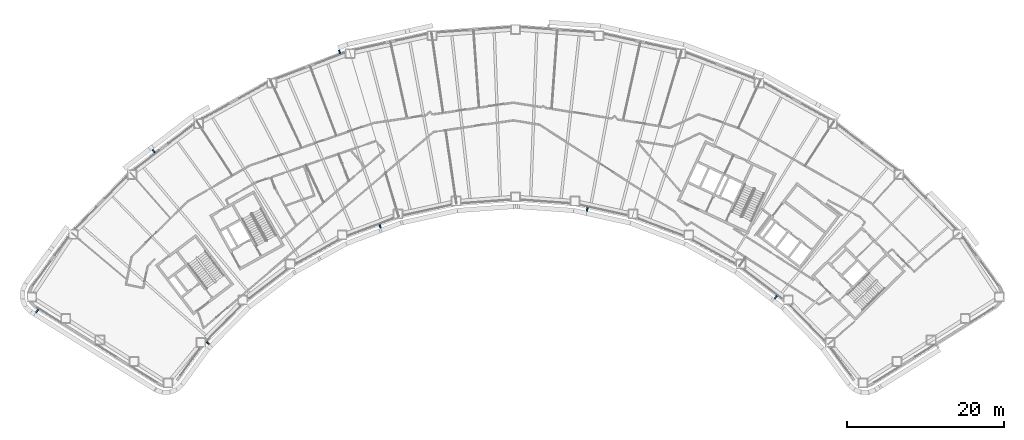
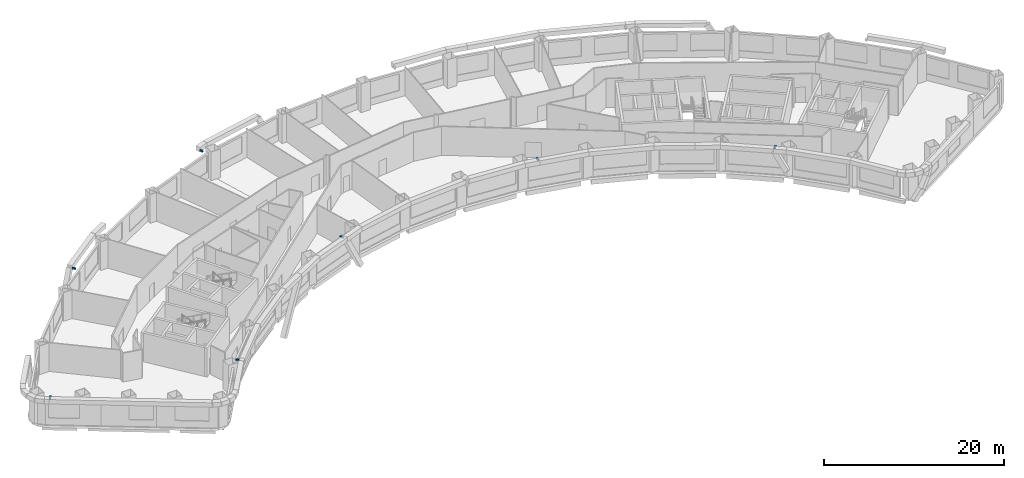
# One storey, part 11 of 15: 7 discrete accessories.
"""IFC4 building model written with IfcOpenShell, lengths in metres."""

from ifc_helpers import new_model, si_unit, direction, frame, origin, origin_2d, place, context, subcontext, project, spatial, rectangle, extrude, material, type_object, element, save


model = new_model("IFC4")

# Units and contexts
model_context = context("Model", 3, precision=1e-05, world=origin(), true_north=direction((0.0, 1.0)))
body_context = subcontext(model_context, "Body", "Model", "MODEL_VIEW")
ifc_project = project(units=[si_unit("LENGTHUNIT", "METRE"), si_unit("AREAUNIT", "SQUARE_METRE"), si_unit("VOLUMEUNIT", "CUBIC_METRE"), si_unit("PLANEANGLEUNIT", "RADIAN"), si_unit("MASSUNIT", "GRAM", prefix="KILO")], contexts=[model_context])

# Site, building, storey
site_placement = place(None, origin())
site = spatial("IfcSite", under=ifc_project, at=site_placement, CompositionType="ELEMENT")
building_placement = place(site_placement, origin())
building = spatial("IfcBuilding", under=site, at=building_placement, Name="Tuul Gate Civic Tower", CompositionType="ELEMENT")
storey_placement = place(building_placement, frame((0.0, 0.0, 78.0)))
storey = spatial("IfcBuildingStorey", under=building, at=storey_placement, Name="Level 17", CompositionType="ELEMENT", Elevation=78.0)

# Discrete accessories
ifc_material = material(Name="Stainless steel", Category="steel")
discrete_accessory_type = type_object("IfcDiscreteAccessoryType", Name="Screen bracket", PredefinedType="BRACKET", material=ifc_material)
discrete_accessory_1_placement = place(storey_placement, frame((-17.6201171875, 15.847900390625, 3.75), z_axis=(0.0, 0.0, 1.0), x_axis=(-0.30107697139, 0.953599841285, 0.0)))
element("IfcDiscreteAccessory", 1, at=discrete_accessory_1_placement, inside=storey, type_object=discrete_accessory_type, Name="Screen bracket 12", PredefinedType="BRACKET", context=body_context, shape_type="SweptSolid", body=[
    extrude(rectangle(XDim=0.45068359375, YDim=0.199951171875, at=origin_2d()), origin(), (0.0, 0.0, 1.0), 0.199951171875),
])
discrete_accessory_2_placement = place(storey_placement, frame((-41.306640625, 3.18310546875, 3.75), z_axis=(0.0, 0.0, 1.0), x_axis=(-0.619883123022, 0.784694153025, 0.0)))
element("IfcDiscreteAccessory", 2, at=discrete_accessory_2_placement, inside=storey, type_object=discrete_accessory_type, Name="Screen bracket 15", PredefinedType="BRACKET", context=body_context, shape_type="SweptSolid", body=[
    extrude(rectangle(XDim=0.4501953125, YDim=0.199951171875, at=origin_2d()), origin(), (0.0, 0.0, 1.0), 0.199951171875),
])
discrete_accessory_3_placement = place(storey_placement, frame((-56.154541015625, -17.186279296875, 3.75), z_axis=(0.0, 0.0, 1.0), x_axis=(-0.609618179845, -0.792695196657, 0.0)))
element("IfcDiscreteAccessory", 3, at=discrete_accessory_3_placement, inside=storey, type_object=discrete_accessory_type, Name="Screen bracket 18", PredefinedType="BRACKET", context=body_context, shape_type="SweptSolid", body=[
    extrude(rectangle(XDim=0.4521484375, YDim=0.199951171875, at=origin_2d()), origin(), (0.0, 0.0, 1.0), 0.199951171875),
])
discrete_accessory_4_placement = place(storey_placement, frame((-34.396240234375, -21.287109375, 3.75), z_axis=(0.0, 0.0, 1.0), x_axis=(0.756372035012, -0.654141685456, 0.0)))
element("IfcDiscreteAccessory", 4, at=discrete_accessory_4_placement, inside=storey, type_object=discrete_accessory_type, Name="Screen bracket 21", PredefinedType="BRACKET", context=body_context, shape_type="SweptSolid", body=[
    extrude(rectangle(XDim=0.450927734375, YDim=0.199951171875, at=origin_2d()), origin(), (0.0, 0.0, 1.0), 0.199951171875),
])
for number, where, z_axis, x_axis, name in (
    (5, (-12.44677734375, -6.4111328125, 3.75), (0.0, 0.0, 1.0), (0.333469567822, -0.942760864343, 0.0), "Screen bracket 24"),
    (6, (13.9560546875, -4.236083984375, 3.75), (0.0, 0.0, 1.0), (-0.176724001903, -0.984260446808, 0.0), "Screen bracket 27"),
):
    element("IfcDiscreteAccessory", number, at=place(storey_placement, frame(where, z_axis=z_axis, x_axis=x_axis)), inside=storey, type_object=discrete_accessory_type, Name=name, PredefinedType="BRACKET", context=body_context, shape_type="SweptSolid", body=[
        extrude(rectangle(XDim=0.4501953125, YDim=0.199951171875, at=origin_2d()), origin(), (0.0, 0.0, 1.0), 0.199951171875),
    ])
discrete_accessory_5_placement = place(storey_placement, frame((37.98583984375, -15.435302734375, 3.75), z_axis=(0.0, 0.0, 1.0), x_axis=(-0.640720950609, -0.767773836133, 0.0)))
element("IfcDiscreteAccessory", 7, at=discrete_accessory_5_placement, inside=storey, type_object=discrete_accessory_type, Name="Screen bracket 30", PredefinedType="BRACKET", context=body_context, shape_type="SweptSolid", body=[
    extrude(rectangle(XDim=0.450439453125, YDim=0.199951171875, at=origin_2d()), origin(), (0.0, 0.0, 1.0), 0.199951171875),
])

save(model, "model.ifc")
